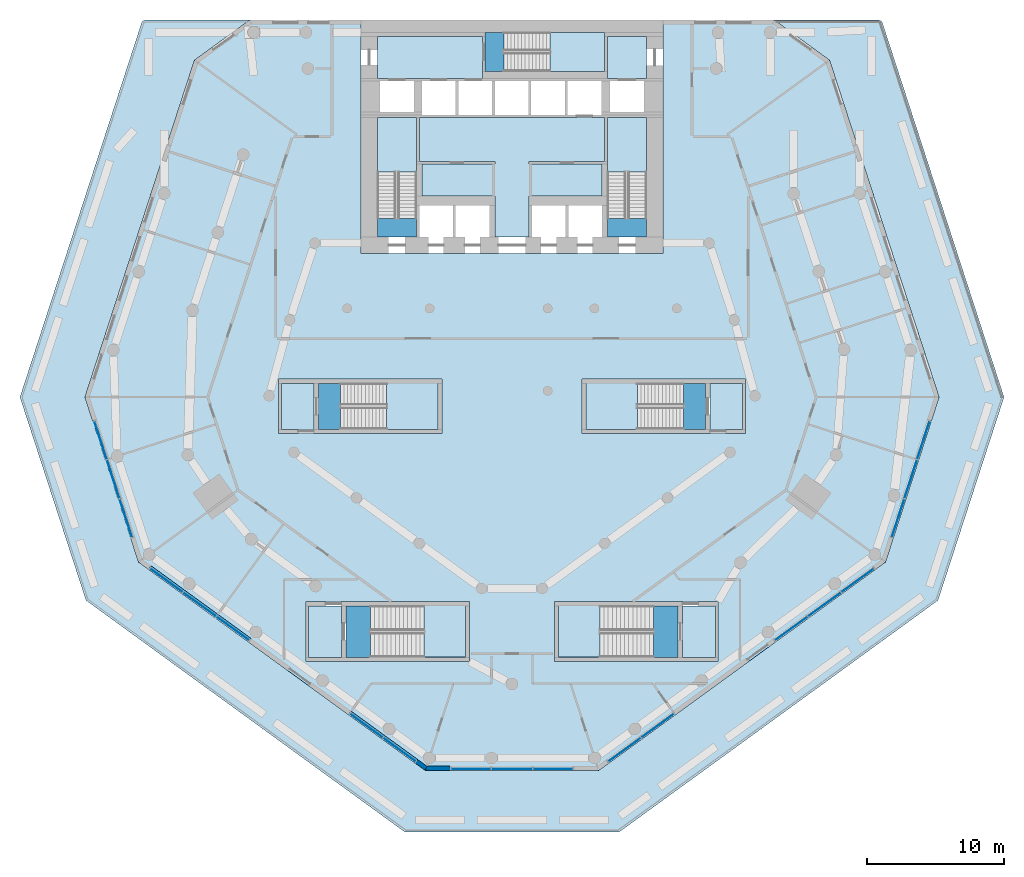
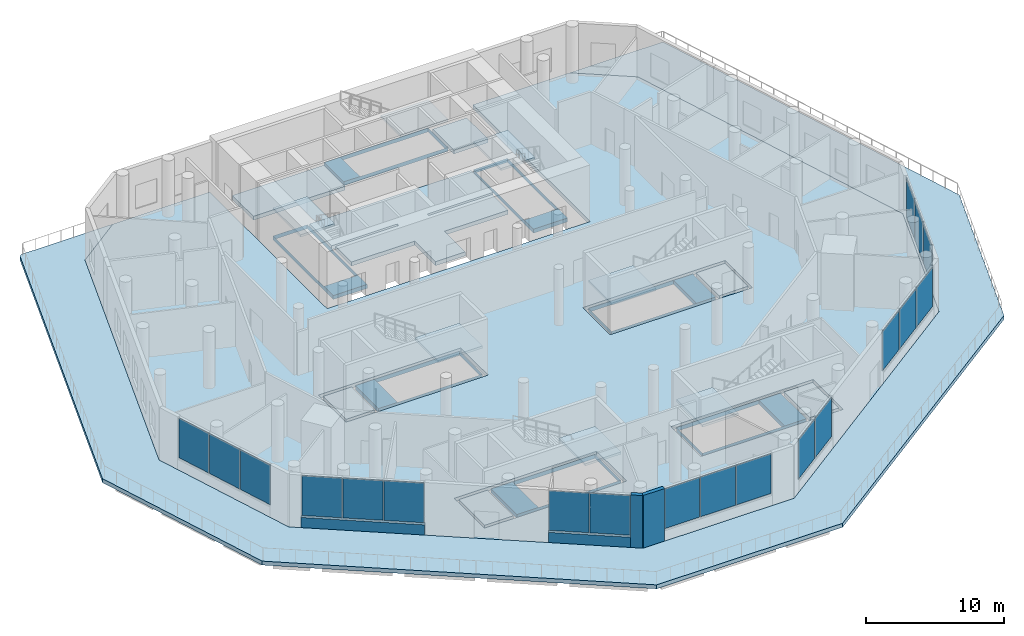
# One storey, part 8 of 19: 23 slabs, 19 plates, 4 walls, 14 elements without a shape of their own.
"""IFC4 building model written with IfcOpenShell, lengths in metres."""

from ifc_helpers import new_model, si_unit, direction, frame, frame_2d, origin, origin_2d, place, context, subcontext, project, spatial, polyline, rectangle, outline, extrude, material, layer, layer_set, type_object, element, aggregate, save


model = new_model("IFC4")

# Units and contexts
model_context = context("Model", 3, precision=1e-05, world=origin(), true_north=direction((0.0, 1.0)))
body_context = subcontext(model_context, "Body", "Model", "MODEL_VIEW")
ifc_project = project(units=[si_unit("LENGTHUNIT", "METRE"), si_unit("AREAUNIT", "SQUARE_METRE"), si_unit("VOLUMEUNIT", "CUBIC_METRE"), si_unit("PLANEANGLEUNIT", "RADIAN"), si_unit("MASSUNIT", "GRAM", prefix="KILO")], contexts=[model_context])

# Site, building, storey
site_placement = place(None, origin())
site = spatial("IfcSite", under=ifc_project, at=site_placement, CompositionType="ELEMENT")
building_placement = place(site_placement, origin())
building = spatial("IfcBuilding", under=site, at=building_placement, Name="White Candle Pilgrim Tower", CompositionType="ELEMENT")
storey_placement = place(building_placement, frame((0.0, 0.0, 29.0)))
storey = spatial("IfcBuildingStorey", under=building, at=storey_placement, Name="L04", CompositionType="ELEMENT", Elevation=29.0)

# Curtain wall, plates
ifc_material_1 = material(Name="Aluminium and glass", Category="aluminium")
curtain_wall_type = type_object("IfcCurtainWallType", Name="Curtain wall CW3 refectory and meeting glazing", PredefinedType="NOTDEFINED", material=ifc_material_1)
curtain_wall_1_placement = place(storey_placement, origin())
curtain_wall_1 = element("IfcCurtainWall", 1, at=curtain_wall_1_placement, inside=storey, type_object=curtain_wall_type, Name="Curtain wall CW3 L04 W chamfer", PredefinedType="NOTDEFINED")
ifc_material_2 = material(Name="Glass, triple glazed", Category="glass")
ifc_layer_1 = layer(ifc_material_2, 0.0400390625)
ifc_layer_set_1 = layer_set([ifc_layer_1], Name="CW3 glazing panel 40")
plate_type = type_object("IfcPlateType", Name="CW3 glazing panel 40", PredefinedType="CURTAIN_PANEL", material=ifc_layer_set_1)
plate_1_placement = place(storey_placement, frame((40.045166015625, 57.40576171875, 1.02001953125), z_axis=(0.0, 0.0, 1.0), x_axis=(0.309016957558, -0.951056528258, 0.0)))
plate_1 = element("IfcPlate", 2, at=plate_1_placement, type_object=plate_type, Name="CW3 panel 1.1", PredefinedType="CURTAIN_PANEL", context=body_context, shape_type="SweptSolid", body=[
    extrude(rectangle(XDim=2.909912109375, YDim=0.0400390625, at=origin_2d()), origin(), (0.0, 0.0, 1.0), 3.510009765625),
])
plate_2_placement = place(storey_placement, frame((40.967529296875, 54.56689453125, 1.02001953125), z_axis=(0.0, 0.0, 1.0), x_axis=(0.309016957558, -0.951056528258, 0.0)))
plate_2 = element("IfcPlate", 3, at=plate_2_placement, type_object=plate_type, Name="CW3 panel 2.1", PredefinedType="CURTAIN_PANEL", context=body_context, shape_type="SweptSolid", body=[
    extrude(rectangle(XDim=2.93994140625, YDim=0.0400390625, at=origin_2d()), origin(), (0.0, 0.0, 1.0), 3.510009765625),
])
plate_3_placement = place(storey_placement, frame((41.89013671875, 51.72802734375, 1.02001953125), z_axis=(0.0, 0.0, 1.0), x_axis=(0.309016957558, -0.951056528258, 0.0)))
plate_3 = element("IfcPlate", 4, at=plate_3_placement, type_object=plate_type, Name="CW3 panel 3.1", PredefinedType="CURTAIN_PANEL", context=body_context, shape_type="SweptSolid", body=[
    extrude(rectangle(XDim=2.909912109375, YDim=0.0400390625, at=origin_2d()), origin(), (0.0, 0.0, 1.0), 3.510009765625),
])
aggregate(curtain_wall_1, [plate_1, plate_2, plate_3])

curtain_wall_2_placement = place(storey_placement, origin())
curtain_wall_2 = element("IfcCurtainWall", 5, at=curtain_wall_2_placement, inside=storey, type_object=curtain_wall_type, Name="Curtain wall CW3 L04 SW", PredefinedType="NOTDEFINED")
plate_4_placement = place(storey_placement, frame((44.831787109375, 47.197021484375, 1.02001953125), z_axis=(0.0, 0.0, 1.0), x_axis=(0.809016995883, -0.587785250217, 0.0)))
plate_4 = element("IfcPlate", 6, at=plate_4_placement, type_object=plate_type, Name="CW3 panel 1.1", PredefinedType="CURTAIN_PANEL", context=body_context, shape_type="SweptSolid", body=[
    extrude(rectangle(XDim=2.909912109375, YDim=0.0400390625, at=origin_2d()), origin(), (0.0, 0.0, 1.0), 3.510009765625),
])
plate_5_placement = place(storey_placement, frame((47.24658203125, 45.4423828125, 1.02001953125), z_axis=(0.0, 0.0, 1.0), x_axis=(0.809016995883, -0.587785250217, 0.0)))
plate_5 = element("IfcPlate", 7, at=plate_5_placement, type_object=plate_type, Name="CW3 panel 2.1", PredefinedType="CURTAIN_PANEL", context=body_context, shape_type="SweptSolid", body=[
    extrude(rectangle(XDim=2.93994140625, YDim=0.0400390625, at=origin_2d()), origin(), (0.0, 0.0, 1.0), 3.510009765625),
])
plate_6_placement = place(storey_placement, frame((49.66162109375, 43.68798828125, 1.02001953125), z_axis=(0.0, 0.0, 1.0), x_axis=(0.809016995883, -0.587785250217, 0.0)))
plate_6 = element("IfcPlate", 8, at=plate_6_placement, type_object=plate_type, Name="CW3 panel 3.1", PredefinedType="CURTAIN_PANEL", context=body_context, shape_type="SweptSolid", body=[
    extrude(rectangle(XDim=2.909912109375, YDim=0.0400390625, at=origin_2d()), origin(), (0.0, 0.0, 1.0), 3.510009765625),
])
aggregate(curtain_wall_2, [plate_4, plate_5, plate_6])

curtain_wall_3_placement = place(storey_placement, origin())
curtain_wall_3 = element("IfcCurtainWall", 9, at=curtain_wall_3_placement, inside=storey, type_object=curtain_wall_type, Name="Curtain wall CW3 L04 SW", PredefinedType="NOTDEFINED")
plate_7_placement = place(storey_placement, frame((59.39404296875, 36.616943359375, 1.02001953125), z_axis=(0.0, 0.0, 1.0), x_axis=(0.809016995893, -0.587785250203, 0.0)))
plate_7 = element("IfcPlate", 10, at=plate_7_placement, type_object=plate_type, Name="CW3 panel 1.1", PredefinedType="CURTAIN_PANEL", context=body_context, shape_type="SweptSolid", body=[
    extrude(rectangle(XDim=2.909912109375, YDim=0.0400390625, at=origin_2d()), origin(), (0.0, 0.0, 1.0), 3.510009765625),
])
plate_8_placement = place(storey_placement, frame((61.796875, 34.87109375, 1.02001953125), z_axis=(0.0, 0.0, 1.0), x_axis=(0.809016995893, -0.587785250203, 0.0)))
plate_8 = element("IfcPlate", 11, at=plate_8_placement, type_object=plate_type, Name="CW3 panel 2.1", PredefinedType="CURTAIN_PANEL", context=body_context, shape_type="SweptSolid", body=[
    extrude(rectangle(XDim=2.909912109375, YDim=0.0400390625, at=origin_2d()), origin(), (0.0, 0.0, 1.0), 3.510009765625),
])
aggregate(curtain_wall_3, [plate_7, plate_8])

curtain_wall_4_placement = place(storey_placement, origin())
curtain_wall_4 = element("IfcCurtainWall", 12, at=curtain_wall_4_placement, inside=storey, type_object=curtain_wall_type, Name="Curtain wall CW3 L04 S chamfer", PredefinedType="NOTDEFINED")
plate_9_placement = place(storey_placement, frame((67.014892578125, 33.4736328125, 1.02001953125), z_axis=(0.0, 0.0, 1.0), x_axis=(1.0, 0.0, 0.0)))
plate_9 = element("IfcPlate", 13, at=plate_9_placement, type_object=plate_type, Name="CW3 panel 1.1", PredefinedType="CURTAIN_PANEL", context=body_context, shape_type="SweptSolid", body=[
    extrude(rectangle(XDim=2.909912109375, YDim=0.0400390625, at=origin_2d()), origin(), (0.0, 0.0, 1.0), 3.510009765625),
])
plate_10_placement = place(storey_placement, frame((70.0, 33.4736328125, 1.02001953125), z_axis=(0.0, 0.0, 1.0), x_axis=(1.0, 0.0, 0.0)))
plate_10 = element("IfcPlate", 14, at=plate_10_placement, type_object=plate_type, Name="CW3 panel 2.1", PredefinedType="CURTAIN_PANEL", context=body_context, shape_type="SweptSolid", body=[
    extrude(rectangle(XDim=2.93994140625, YDim=0.0400390625, at=origin_2d()), origin(), (0.0, 0.0, 1.0), 3.510009765625),
])
plate_11_placement = place(storey_placement, frame((72.985107421875, 33.4736328125, 1.02001953125), z_axis=(0.0, 0.0, 1.0), x_axis=(1.0, 0.0, 0.0)))
plate_11 = element("IfcPlate", 15, at=plate_11_placement, type_object=plate_type, Name="CW3 panel 3.1", PredefinedType="CURTAIN_PANEL", context=body_context, shape_type="SweptSolid", body=[
    extrude(rectangle(XDim=2.909912109375, YDim=0.0400390625, at=origin_2d()), origin(), (0.0, 0.0, 1.0), 3.510009765625),
])
aggregate(curtain_wall_4, [plate_9, plate_10, plate_11])

curtain_wall_5_placement = place(storey_placement, origin())
curtain_wall_5 = element("IfcCurtainWall", 16, at=curtain_wall_5_placement, inside=storey, type_object=curtain_wall_type, Name="Curtain wall CW3 L04 SE", PredefinedType="NOTDEFINED")
plate_12_placement = place(storey_placement, frame((78.203125, 34.87109375, 1.02001953125), z_axis=(0.0, 0.0, 1.0), x_axis=(0.809016995893, 0.587785250203, 0.0)))
plate_12 = element("IfcPlate", 17, at=plate_12_placement, type_object=plate_type, Name="CW3 panel 1.1", PredefinedType="CURTAIN_PANEL", context=body_context, shape_type="SweptSolid", body=[
    extrude(rectangle(XDim=2.909912109375, YDim=0.0400390625, at=origin_2d()), origin(), (0.0, 0.0, 1.0), 3.510009765625),
])
plate_13_placement = place(storey_placement, frame((80.60595703125, 36.616943359375, 1.02001953125), z_axis=(0.0, 0.0, 1.0), x_axis=(0.809016995893, 0.587785250203, 0.0)))
plate_13 = element("IfcPlate", 18, at=plate_13_placement, type_object=plate_type, Name="CW3 panel 2.1", PredefinedType="CURTAIN_PANEL", context=body_context, shape_type="SweptSolid", body=[
    extrude(rectangle(XDim=2.909912109375, YDim=0.0400390625, at=origin_2d()), origin(), (0.0, 0.0, 1.0), 3.510009765625),
])
aggregate(curtain_wall_5, [plate_12, plate_13])

curtain_wall_6_placement = place(storey_placement, origin())
curtain_wall_6 = element("IfcCurtainWall", 19, at=curtain_wall_6_placement, inside=storey, type_object=curtain_wall_type, Name="Curtain wall CW3 L04 SE", PredefinedType="NOTDEFINED")
plate_14_placement = place(storey_placement, frame((90.33837890625, 43.68798828125, 1.02001953125), z_axis=(0.0, 0.0, 1.0), x_axis=(0.809016995883, 0.587785250217, 0.0)))
plate_14 = element("IfcPlate", 20, at=plate_14_placement, type_object=plate_type, Name="CW3 panel 1.1", PredefinedType="CURTAIN_PANEL", context=body_context, shape_type="SweptSolid", body=[
    extrude(rectangle(XDim=2.909912109375, YDim=0.0400390625, at=origin_2d()), origin(), (0.0, 0.0, 1.0), 3.510009765625),
])
plate_15_placement = place(storey_placement, frame((92.75341796875, 45.4423828125, 1.02001953125), z_axis=(0.0, 0.0, 1.0), x_axis=(0.809016995883, 0.587785250217, 0.0)))
plate_15 = element("IfcPlate", 21, at=plate_15_placement, type_object=plate_type, Name="CW3 panel 2.1", PredefinedType="CURTAIN_PANEL", context=body_context, shape_type="SweptSolid", body=[
    extrude(rectangle(XDim=2.93994140625, YDim=0.0400390625, at=origin_2d()), origin(), (0.0, 0.0, 1.0), 3.510009765625),
])
plate_16_placement = place(storey_placement, frame((95.168212890625, 47.197021484375, 1.02001953125), z_axis=(0.0, 0.0, 1.0), x_axis=(0.809016995883, 0.587785250217, 0.0)))
plate_16 = element("IfcPlate", 22, at=plate_16_placement, type_object=plate_type, Name="CW3 panel 3.1", PredefinedType="CURTAIN_PANEL", context=body_context, shape_type="SweptSolid", body=[
    extrude(rectangle(XDim=2.909912109375, YDim=0.0400390625, at=origin_2d()), origin(), (0.0, 0.0, 1.0), 3.510009765625),
])
aggregate(curtain_wall_6, [plate_14, plate_15, plate_16])

curtain_wall_7_placement = place(storey_placement, origin())
curtain_wall_7 = element("IfcCurtainWall", 23, at=curtain_wall_7_placement, inside=storey, type_object=curtain_wall_type, Name="Curtain wall CW3 L04 E chamfer", PredefinedType="NOTDEFINED")
plate_17_placement = place(storey_placement, frame((98.10986328125, 51.72802734375, 1.02001953125), z_axis=(0.0, 0.0, 1.0), x_axis=(0.309016957542, 0.951056528263, 0.0)))
plate_17 = element("IfcPlate", 24, at=plate_17_placement, type_object=plate_type, Name="CW3 panel 1.1", PredefinedType="CURTAIN_PANEL", context=body_context, shape_type="SweptSolid", body=[
    extrude(rectangle(XDim=2.909912109375, YDim=0.0400390625, at=origin_2d()), origin(), (0.0, 0.0, 1.0), 3.510009765625),
])
plate_18_placement = place(storey_placement, frame((99.032470703125, 54.56689453125, 1.02001953125), z_axis=(0.0, 0.0, 1.0), x_axis=(0.309016957542, 0.951056528263, 0.0)))
plate_18 = element("IfcPlate", 25, at=plate_18_placement, type_object=plate_type, Name="CW3 panel 2.1", PredefinedType="CURTAIN_PANEL", context=body_context, shape_type="SweptSolid", body=[
    extrude(rectangle(XDim=2.93994140625, YDim=0.0400390625, at=origin_2d()), origin(), (0.0, 0.0, 1.0), 3.510009765625),
])
plate_19_placement = place(storey_placement, frame((99.954833984375, 57.40576171875, 1.02001953125), z_axis=(0.0, 0.0, 1.0), x_axis=(0.309016957542, 0.951056528263, 0.0)))
plate_19 = element("IfcPlate", 26, at=plate_19_placement, type_object=plate_type, Name="CW3 panel 3.1", PredefinedType="CURTAIN_PANEL", context=body_context, shape_type="SweptSolid", body=[
    extrude(rectangle(XDim=2.909912109375, YDim=0.0400390625, at=origin_2d()), origin(), (0.0, 0.0, 1.0), 3.510009765625),
])
aggregate(curtain_wall_7, [plate_17, plate_18, plate_19])

# Slabs
ifc_material_3 = material(Name="Concrete C40/50", Category="concrete")
ifc_layer_2 = layer(ifc_material_3, 0.35009765625)
ifc_layer_set_2 = layer_set([ifc_layer_2], Name="Core floor slab 350 mm Concrete C40/50")
slab_type_1 = type_object("IfcSlabType", Name="Core floor slab 350 mm Concrete C40/50", PredefinedType="FLOOR", material=ifc_layer_set_2)
slab_1_placement = place(storey_placement, frame((0.0, 0.0, -0.35009765625)))
element("IfcSlab", 27, at=slab_1_placement, inside=storey, type_object=slab_type_1, Name="CF-L04-01", PredefinedType="FLOOR", context=body_context, shape_type="SweptSolid", body=[
    extrude(outline(polyline([(55.199951171875, 41.60009765625), (55.199951171875, 45.35009765625), (57.60009765625, 45.35009765625), (57.60009765625, 41.60009765625), (55.199951171875, 41.60009765625)])), origin(), (0.0, 0.0, 1.0), 0.35009765625),
])
slab_2_placement = place(storey_placement, frame((0.0, 0.0, -0.35009765625)))
element("IfcSlab", 28, at=slab_2_placement, inside=storey, type_object=slab_type_1, Name="CF-L04-02", PredefinedType="FLOOR", context=body_context, shape_type="SweptSolid", body=[
    extrude(outline(polyline([(57.89990234375, 41.60009765625), (57.89990234375, 45.35009765625), (66.60009765625, 45.35009765625), (66.60009765625, 41.60009765625), (57.89990234375, 41.60009765625)]), holes=[polyline([(59.701904296875, 45.347900390625), (59.701904296875, 41.60205078125), (66.597900390625, 41.60205078125), (66.597900390625, 45.347900390625), (59.701904296875, 45.347900390625)])]), origin(), (0.0, 0.0, 1.0), 0.35009765625),
])
slab_3_placement = place(storey_placement, frame((0.0, 0.0, -0.35009765625)))
element("IfcSlab", 29, at=slab_3_placement, inside=storey, type_object=slab_type_1, Name="CF-L04-03", PredefinedType="FLOOR", context=body_context, shape_type="SweptSolid", body=[
    extrude(outline(polyline([(73.39990234375, 41.60009765625), (73.39990234375, 45.35009765625), (82.10009765625, 45.35009765625), (82.10009765625, 41.60009765625), (73.39990234375, 41.60009765625)]), holes=[polyline([(80.298095703125, 41.60205078125), (80.298095703125, 45.347900390625), (73.402099609375, 45.347900390625), (73.402099609375, 41.60205078125), (80.298095703125, 41.60205078125)])]), origin(), (0.0, 0.0, 1.0), 0.35009765625),
])
slab_4_placement = place(storey_placement, frame((0.0, 0.0, -0.35009765625)))
element("IfcSlab", 30, at=slab_4_placement, inside=storey, type_object=slab_type_1, Name="CF-L04-04", PredefinedType="FLOOR", context=body_context, shape_type="SweptSolid", body=[
    extrude(outline(polyline([(84.800048828125, 41.60009765625), (82.39990234375, 41.60009765625), (82.39990234375, 45.35009765625), (84.800048828125, 45.35009765625), (84.800048828125, 41.60009765625)])), origin(), (0.0, 0.0, 1.0), 0.35009765625),
])
slab_5_placement = place(storey_placement, frame((0.0, 0.0, -0.35009765625)))
element("IfcSlab", 31, at=slab_5_placement, inside=storey, type_object=slab_type_1, Name="CF-L04-05", PredefinedType="FLOOR", context=body_context, shape_type="SweptSolid", body=[
    extrude(outline(polyline([(53.199951171875, 61.550048828125), (55.60009765625, 61.550048828125), (55.60009765625, 58.199951171875), (53.199951171875, 58.199951171875), (53.199951171875, 61.550048828125)])), origin(), (0.0, 0.0, 1.0), 0.35009765625),
])
slab_6_placement = place(storey_placement, frame((0.0, 0.0, -0.35009765625)))
element("IfcSlab", 32, at=slab_6_placement, inside=storey, type_object=slab_type_1, Name="CF-L04-06", PredefinedType="FLOOR", context=body_context, shape_type="SweptSolid", body=[
    extrude(outline(polyline([(55.89990234375, 58.199951171875), (55.89990234375, 61.550048828125), (64.60009765625, 61.550048828125), (64.60009765625, 58.199951171875), (55.89990234375, 58.199951171875)]), holes=[polyline([(57.501953125, 61.548095703125), (57.501953125, 58.201904296875), (64.597900390625, 58.201904296875), (64.597900390625, 61.548095703125), (57.501953125, 61.548095703125)])]), origin(), (0.0, 0.0, 1.0), 0.35009765625),
])
slab_7_placement = place(storey_placement, frame((0.0, 0.0, -0.35009765625)))
element("IfcSlab", 33, at=slab_7_placement, inside=storey, type_object=slab_type_1, Name="CF-L04-07", PredefinedType="FLOOR", context=body_context, shape_type="SweptSolid", body=[
    extrude(outline(polyline([(75.39990234375, 58.199951171875), (75.39990234375, 61.550048828125), (84.10009765625, 61.550048828125), (84.10009765625, 58.199951171875), (75.39990234375, 58.199951171875)]), holes=[polyline([(82.498046875, 58.201904296875), (82.498046875, 61.548095703125), (75.402099609375, 61.548095703125), (75.402099609375, 58.201904296875), (82.498046875, 58.201904296875)])]), origin(), (0.0, 0.0, 1.0), 0.35009765625),
])
slab_8_placement = place(storey_placement, frame((0.0, 0.0, -0.35009765625)))
element("IfcSlab", 34, at=slab_8_placement, inside=storey, type_object=slab_type_1, Name="CF-L04-08", PredefinedType="FLOOR", context=body_context, shape_type="SweptSolid", body=[
    extrude(outline(polyline([(84.39990234375, 58.199951171875), (84.39990234375, 61.550048828125), (86.800048828125, 61.550048828125), (86.800048828125, 58.199951171875), (84.39990234375, 58.199951171875)])), origin(), (0.0, 0.0, 1.0), 0.35009765625),
])
slab_9_placement = place(storey_placement, frame((0.0, 0.0, -0.35009765625)))
element("IfcSlab", 35, at=slab_9_placement, inside=storey, type_object=slab_type_1, Name="CF-L04-09", PredefinedType="FLOOR", context=body_context, shape_type="SweptSolid", body=[
    extrude(outline(polyline([(76.75, 86.800048828125), (76.75, 84.25), (68.050048828125, 84.25), (68.050048828125, 86.800048828125), (68.050048828125, 87.10009765625), (76.75, 87.10009765625), (76.75, 86.800048828125)]), holes=[polyline([(69.402099609375, 87.097900390625), (69.402099609375, 84.251953125), (76.748046875, 84.251953125), (76.748046875, 87.097900390625), (69.402099609375, 87.097900390625)])]), origin(), (0.0, 0.0, 1.0), 0.35009765625),
])
slab_10_placement = place(storey_placement, frame((0.0, 0.0, -0.35009765625)))
element("IfcSlab", 36, at=slab_10_placement, inside=storey, type_object=slab_type_1, Name="CF-L04-10", PredefinedType="FLOOR", context=body_context, shape_type="SweptSolid", body=[
    extrude(outline(polyline([(79.800048828125, 86.800048828125), (79.800048828125, 83.75), (76.949951171875, 83.75), (76.949951171875, 84.25), (76.949951171875, 86.800048828125), (79.800048828125, 86.800048828125)])), origin(), (0.0, 0.0, 1.0), 0.35009765625),
])
slab_11_placement = place(storey_placement, frame((0.0, 0.0, -0.35009765625)))
element("IfcSlab", 37, at=slab_11_placement, inside=storey, type_object=slab_type_1, Name="CF-L04-11", PredefinedType="FLOOR", context=body_context, shape_type="SweptSolid", body=[
    extrude(outline(polyline([(79.800048828125, 72.199951171875), (76.949951171875, 72.199951171875), (76.949951171875, 74.5), (76.949951171875, 75.199951171875), (76.949951171875, 77.5), (76.949951171875, 77.699951171875), (76.949951171875, 80.89990234375), (79.800048828125, 80.89990234375), (79.800048828125, 72.199951171875)]), holes=[polyline([(76.951904296875, 73.552001953125), (79.798095703125, 73.552001953125), (79.798095703125, 80.89794921875), (76.951904296875, 80.89794921875), (76.951904296875, 73.552001953125)])]), origin(), (0.0, 0.0, 1.0), 0.35009765625),
])
slab_12_placement = place(storey_placement, frame((0.0, 0.0, -0.35009765625)))
element("IfcSlab", 38, at=slab_12_placement, inside=storey, type_object=slab_type_1, Name="CF-L04-12", PredefinedType="FLOOR", context=body_context, shape_type="SweptSolid", body=[
    extrude(outline(polyline([(68.75, 72.199951171875), (68.75, 74.5), (68.75, 75.199951171875), (63.449951171875, 75.199951171875), (63.449951171875, 77.5), (68.75, 77.5), (68.75, 77.699951171875), (63.25, 77.699951171875), (63.25, 80.89990234375), (76.75, 80.89990234375), (76.75, 77.699951171875), (71.25, 77.699951171875), (71.25, 77.5), (76.550048828125, 77.5), (76.550048828125, 75.199951171875), (71.25, 75.199951171875), (71.25, 74.5), (71.25, 72.199951171875), (68.75, 72.199951171875)])), origin(), (0.0, 0.0, 1.0), 0.35009765625),
])
slab_13_placement = place(storey_placement, frame((0.0, 0.0, -0.35009765625)))
element("IfcSlab", 39, at=slab_13_placement, inside=storey, type_object=slab_type_1, Name="CF-L04-13", PredefinedType="FLOOR", context=body_context, shape_type="SweptSolid", body=[
    extrude(outline(polyline([(60.199951171875, 72.199951171875), (60.199951171875, 80.89990234375), (63.050048828125, 80.89990234375), (63.050048828125, 77.699951171875), (63.050048828125, 77.5), (63.050048828125, 75.199951171875), (63.050048828125, 74.5), (63.050048828125, 72.199951171875), (60.199951171875, 72.199951171875)]), holes=[polyline([(60.201904296875, 80.89794921875), (60.201904296875, 73.552001953125), (63.048095703125, 73.552001953125), (63.048095703125, 80.89794921875), (60.201904296875, 80.89794921875)])]), origin(), (0.0, 0.0, 1.0), 0.35009765625),
])
slab_14_placement = place(storey_placement, frame((0.0, 0.0, -0.35009765625)))
element("IfcSlab", 40, at=slab_14_placement, inside=storey, type_object=slab_type_1, Name="CF-L04-14", PredefinedType="FLOOR", context=body_context, shape_type="SweptSolid", body=[
    extrude(outline(polyline([(60.199951171875, 86.800048828125), (67.85009765625, 86.800048828125), (67.85009765625, 84.25), (67.85009765625, 83.75), (60.199951171875, 83.75), (60.199951171875, 86.800048828125)])), origin(), (0.0, 0.0, 1.0), 0.35009765625),
])
ifc_layer_3 = layer(ifc_material_3, 0.35009765625)
ifc_layer_set_3 = layer_set([ifc_layer_3], Name="Floor slab 350 REI 240")
slab_type_2 = type_object("IfcSlabType", Name="Floor slab 350 REI 240", PredefinedType="FLOOR", material=ifc_layer_set_3)
slab_15_placement = place(storey_placement, frame((0.0, 0.0, -0.35009765625)))
element("IfcSlab", 41, at=slab_15_placement, inside=storey, type_object=slab_type_2, Name="L04 floor slab", PredefinedType="FLOOR", context=body_context, shape_type="SweptSolid", body=[
    extrude(outline(polyline([(63.683837890625, 33.361083984375), (76.316162109375, 33.361083984375), (97.1875, 48.52490234375), (101.09130859375, 60.539306640625), (93.119140625, 85.07470703125), (89.093017578125, 88.0), (81.0, 88.0), (81.0, 71.0), (59.0, 71.0), (59.0, 88.0), (50.906982421875, 88.0), (46.880859375, 85.07470703125), (38.90869140625, 60.539306640625), (42.8125, 48.52490234375), (63.683837890625, 33.361083984375)]), holes=[polyline([(55.0, 41.300048828125), (55.0, 45.64990234375), (66.89990234375, 45.64990234375), (66.89990234375, 41.300048828125), (55.0, 41.300048828125)]), polyline([(73.10009765625, 41.300048828125), (73.10009765625, 45.64990234375), (85.0, 45.64990234375), (85.0, 41.300048828125), (73.10009765625, 41.300048828125)]), polyline([(53.0, 57.89990234375), (53.0, 61.85009765625), (64.89990234375, 61.85009765625), (64.89990234375, 57.89990234375), (53.0, 57.89990234375)]), polyline([(75.10009765625, 57.89990234375), (75.10009765625, 61.85009765625), (87.0, 61.85009765625), (87.0, 57.89990234375), (75.10009765625, 57.89990234375)])]), origin(), (0.0, 0.0, 1.0), 0.35009765625),
])

# Stair, slab
stair_type_1 = type_object("IfcStairType", Name="Exit stair 1 flight width 1350 mm", PredefinedType="HALF_TURN_STAIR", material=ifc_material_3)
stair_1_placement = place(storey_placement, origin())
stair_1 = element("IfcStair", 42, at=stair_1_placement, inside=storey, type_object=stair_type_1, Name="L04 stair 1", PredefinedType="NOTDEFINED")
ifc_layer_4 = layer(ifc_material_3, 0.199951171875)
ifc_layer_set_4 = layer_set([ifc_layer_4], Name="Stair landing Concrete C40/50")
slab_type_3 = type_object("IfcSlabType", Name="Stair landing Concrete C40/50", PredefinedType="LANDING", material=ifc_layer_set_4)
slab_16_placement = place(storey_placement, frame((0.0, 0.0, 2.300048828125)))
slab_16 = element("IfcSlab", 43, at=slab_16_placement, type_object=slab_type_3, Name="ST1 landing 1", PredefinedType="LANDING", context=body_context, shape_type="SweptSolid", body=[
    extrude(outline(polyline([(63.052001953125, 76.927978515625), (60.197998046875, 76.927978515625), (60.197998046875, 80.902099609375), (63.052001953125, 80.902099609375), (63.052001953125, 76.927978515625)])), origin(), (0.0, 0.0, 1.0), 0.199951171875),
])
aggregate(stair_1, [slab_16])

stair_type_2 = type_object("IfcStairType", Name="Exit stair 2 flight width 1350 mm", PredefinedType="HALF_TURN_STAIR", material=ifc_material_3)
stair_2_placement = place(storey_placement, origin())
stair_2 = element("IfcStair", 44, at=stair_2_placement, inside=storey, type_object=stair_type_2, Name="L04 stair 2", PredefinedType="NOTDEFINED")
slab_17_placement = place(storey_placement, frame((0.0, 0.0, 2.300048828125)))
slab_17 = element("IfcSlab", 45, at=slab_17_placement, type_object=slab_type_3, Name="ST2 landing 1", PredefinedType="LANDING", context=body_context, shape_type="SweptSolid", body=[
    extrude(outline(polyline([(79.802001953125, 76.927978515625), (76.947998046875, 76.927978515625), (76.947998046875, 80.902099609375), (79.802001953125, 80.902099609375), (79.802001953125, 76.927978515625)])), origin(), (0.0, 0.0, 1.0), 0.199951171875),
])
aggregate(stair_2, [slab_17])

stair_type_3 = type_object("IfcStairType", Name="Exit stair 3 flight width 1350 mm", PredefinedType="HALF_TURN_STAIR", material=ifc_material_3)
stair_3_placement = place(storey_placement, origin())
stair_3 = element("IfcStair", 46, at=stair_3_placement, inside=storey, type_object=stair_type_3, Name="L04 stair 3", PredefinedType="NOTDEFINED")
slab_18_placement = place(storey_placement, frame((0.0, 0.0, 2.300048828125)))
slab_18 = element("IfcSlab", 47, at=slab_18_placement, type_object=slab_type_3, Name="ST3 landing 1", PredefinedType="LANDING", context=body_context, shape_type="SweptSolid", body=[
    extrude(outline(polyline([(72.778076171875, 84.248046875), (72.778076171875, 87.10205078125), (76.751953125, 87.10205078125), (76.751953125, 84.248046875), (72.778076171875, 84.248046875)])), origin(), (0.0, 0.0, 1.0), 0.199951171875),
])
aggregate(stair_3, [slab_18])

stair_type_4 = type_object("IfcStairType", Name="Exit stair 4 flight width 1600 mm", PredefinedType="HALF_TURN_STAIR", material=ifc_material_3)
stair_4_placement = place(storey_placement, origin())
stair_4 = element("IfcStair", 48, at=stair_4_placement, inside=storey, type_object=stair_type_4, Name="L04 stair 4", PredefinedType="NOTDEFINED")
slab_19_placement = place(storey_placement, frame((0.0, 0.0, 2.300048828125)))
slab_19 = element("IfcSlab", 49, at=slab_19_placement, type_object=slab_type_3, Name="ST4 landing 1", PredefinedType="LANDING", context=body_context, shape_type="SweptSolid", body=[
    extrude(outline(polyline([(79.1220703125, 61.552001953125), (79.1220703125, 58.197998046875), (75.39794921875, 58.197998046875), (75.39794921875, 61.552001953125), (79.1220703125, 61.552001953125)])), origin(), (0.0, 0.0, 1.0), 0.199951171875),
])
aggregate(stair_4, [slab_19])

stair_type_5 = type_object("IfcStairType", Name="Exit stair 5 flight width 1600 mm", PredefinedType="HALF_TURN_STAIR", material=ifc_material_3)
stair_5_placement = place(storey_placement, origin())
stair_5 = element("IfcStair", 50, at=stair_5_placement, inside=storey, type_object=stair_type_5, Name="L04 stair 5", PredefinedType="NOTDEFINED")
slab_20_placement = place(storey_placement, frame((0.0, 0.0, 2.300048828125)))
slab_20 = element("IfcSlab", 51, at=slab_20_placement, type_object=slab_type_3, Name="ST5 landing 1", PredefinedType="LANDING", context=body_context, shape_type="SweptSolid", body=[
    extrude(outline(polyline([(60.8779296875, 58.197998046875), (60.8779296875, 61.552001953125), (64.60205078125, 61.552001953125), (64.60205078125, 58.197998046875), (60.8779296875, 58.197998046875)])), origin(), (0.0, 0.0, 1.0), 0.199951171875),
])
aggregate(stair_5, [slab_20])

stair_type_6 = type_object("IfcStairType", Name="Exit stair 6 flight width 1800 mm", PredefinedType="HALF_TURN_STAIR", material=ifc_material_3)
stair_6_placement = place(storey_placement, origin())
stair_6 = element("IfcStair", 52, at=stair_6_placement, inside=storey, type_object=stair_type_6, Name="L04 stair 6", PredefinedType="NOTDEFINED")
slab_21_placement = place(storey_placement, frame((0.0, 0.0, 2.300048828125)))
slab_21 = element("IfcSlab", 53, at=slab_21_placement, type_object=slab_type_3, Name="ST6 landing 1", PredefinedType="LANDING", context=body_context, shape_type="SweptSolid", body=[
    extrude(outline(polyline([(63.597900390625, 41.597900390625), (63.597900390625, 45.35205078125), (66.60205078125, 45.35205078125), (66.60205078125, 41.597900390625), (63.597900390625, 41.597900390625)])), origin(), (0.0, 0.0, 1.0), 0.199951171875),
])
aggregate(stair_6, [slab_21])

stair_type_7 = type_object("IfcStairType", Name="Exit stair 7 flight width 1800 mm", PredefinedType="HALF_TURN_STAIR", material=ifc_material_3)
stair_7_placement = place(storey_placement, origin())
stair_7 = element("IfcStair", 54, at=stair_7_placement, inside=storey, type_object=stair_type_7, Name="L04 stair 7", PredefinedType="NOTDEFINED")
slab_22_placement = place(storey_placement, frame((0.0, 0.0, 2.300048828125)))
slab_22 = element("IfcSlab", 55, at=slab_22_placement, type_object=slab_type_3, Name="ST7 landing 1", PredefinedType="LANDING", context=body_context, shape_type="SweptSolid", body=[
    extrude(outline(polyline([(76.402099609375, 45.35205078125), (76.402099609375, 41.597900390625), (73.39794921875, 41.597900390625), (73.39794921875, 45.35205078125), (76.402099609375, 45.35205078125)])), origin(), (0.0, 0.0, 1.0), 0.199951171875),
])
aggregate(stair_7, [slab_22])

# Slab
ifc_layer_5 = layer(ifc_material_3, 0.35009765625)
ifc_layer_set_5 = layer_set([ifc_layer_5], Name="Terrace deck 350 REI 240")
slab_type_4 = type_object("IfcSlabType", Name="Terrace deck 350 REI 240", PredefinedType="FLOOR", material=ifc_layer_set_5)
slab_23_placement = place(storey_placement, frame((0.0, 0.0, -0.35009765625)))
element("IfcSlab", 56, at=slab_23_placement, inside=storey, type_object=slab_type_4, Name="L04 terrace deck 01", PredefinedType="FLOOR", context=body_context, shape_type="SweptSolid", body=[
    extrude(outline(polyline([(62.2216796875, 28.861083984375), (77.7783203125, 28.861083984375), (101.015380859375, 45.743896484375), (105.82275390625, 60.539306640625), (96.947021484375, 87.85595703125), (96.748779296875, 88.0), (89.093017578125, 88.0), (93.119140625, 85.07470703125), (101.09130859375, 60.539306640625), (97.1875, 48.52490234375), (76.316162109375, 33.361083984375), (63.683837890625, 33.361083984375), (42.8125, 48.52490234375), (38.90869140625, 60.539306640625), (46.880859375, 85.07470703125), (50.906982421875, 88.0), (43.251220703125, 88.0), (43.052978515625, 87.85595703125), (34.17724609375, 60.539306640625), (38.984619140625, 45.743896484375), (62.2216796875, 28.861083984375)])), origin(), (0.0, 0.0, 1.0), 0.35009765625),
])

# Walls
ifc_material_4 = material(Name="Precast concrete C40/50", Category="concrete")
ifc_layer_6 = layer(ifc_material_4, 0.320068359375)
ifc_layer_set_6 = layer_set([ifc_layer_6], Name="Facade wall EW3 precast concrete C40/50 and stone-faced podium wall")
wall_type = type_object("IfcWallType", Name="Facade wall EW3 precast concrete C40/50 and stone-faced podium wall", PredefinedType="SOLIDWALL", material=ifc_layer_set_6)
wall_1_placement = place(storey_placement, frame((43.634033203125, 48.1259765625, 0.0), z_axis=(0.0, 0.0, 1.0), x_axis=(0.808999938455, -0.587808727036, 0.0)))
element("IfcWall", 57, at=wall_1_placement, inside=storey, type_object=wall_type, Name="Sill wall L04 SW", PredefinedType="SOLIDWALL", context=body_context, shape_type="SweptSolid", body=[
    extrude(rectangle(XDim=9.0, YDim=0.320068359375, at=frame_2d((4.5, 0.0))), origin(), (0.0, 0.0, 1.0), 0.89990234375),
])
wall_2_placement = place(storey_placement, frame((58.1962890625, 37.545654296875, 0.0), z_axis=(0.0, 0.0, 1.0), x_axis=(0.809019288122, -0.587782095208, 0.0)))
element("IfcWall", 58, at=wall_2_placement, inside=storey, type_object=wall_type, Name="Sill wall L04 SW", PredefinedType="SOLIDWALL", context=body_context, shape_type="SweptSolid", body=[
    extrude(rectangle(XDim=5.999755859375, YDim=0.320068359375, at=frame_2d((3.0, 0.0))), origin(), (0.0, 0.0, 1.0), 0.89990234375),
])
wall_3_placement = place(storey_placement, frame((63.05029296875, 34.01904296875, 0.0), z_axis=(0.0, 0.0, 1.0), x_axis=(0.809034999426, -0.587760469668, 0.0)))
element("IfcWall", 59, at=wall_3_placement, inside=storey, type_object=wall_type, Name="Facade wall L04 SW", PredefinedType="SOLIDWALL", context=body_context, shape_type="SweptSolid", body=[
    extrude(rectangle(XDim=0.847412109375, YDim=0.320068359375, at=frame_2d((0.423828125, 0.0))), origin(), (0.0, 0.0, 1.0), 4.64990234375),
])
wall_4_placement = place(storey_placement, frame((63.73583984375, 33.52099609375, 0.0), z_axis=(0.0, 0.0, 1.0), x_axis=(1.0, 0.0, 0.0)))
element("IfcWall", 60, at=wall_4_placement, inside=storey, type_object=wall_type, Name="Facade wall L04 S chamfer", PredefinedType="SOLIDWALL", context=body_context, shape_type="SweptSolid", body=[
    extrude(rectangle(XDim=1.76416015625, YDim=0.320068359375, at=frame_2d((0.882080078125, 0.0))), origin(), (0.0, 0.0, 1.0), 4.64990234375),
])

save(model, "model.ifc")
